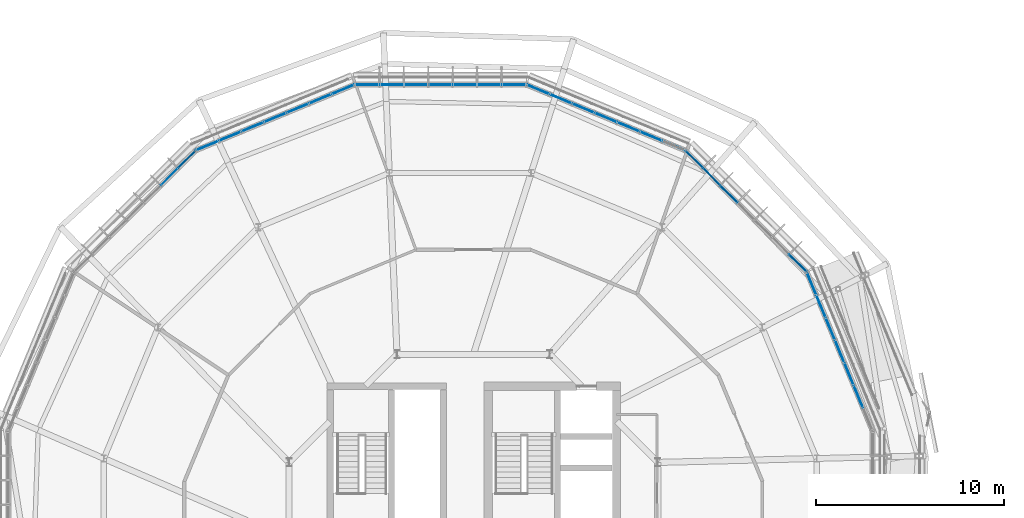
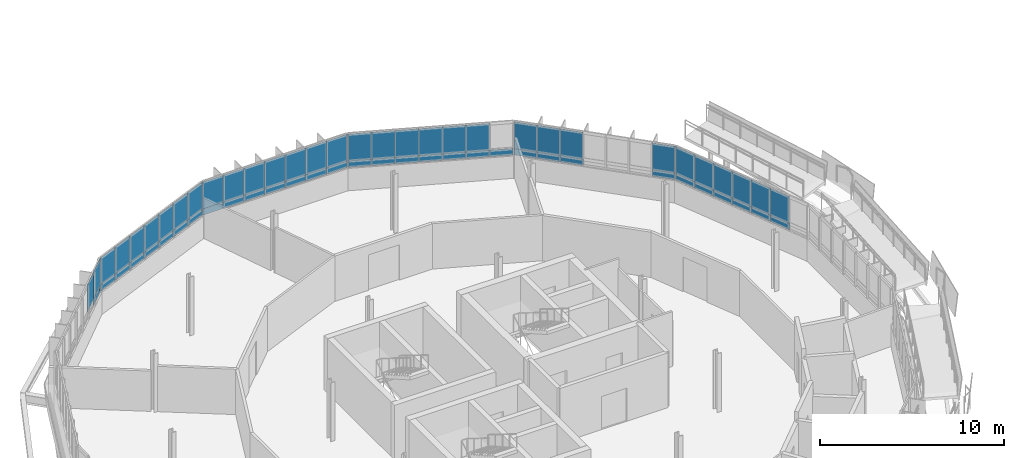
# One storey, part 27 of 38: 64 plates, 6 elements without a shape of their own.
"""IFC4 building model written with IfcOpenShell, lengths in metres."""

import ifcopenshell
import ifcopenshell.guid

model = None  # the IFC model being written
_history = None  # IfcOwnerHistory: only IFC2X3 demands one
_inside = {}  # id of a spatial element -> (the spatial element, [elements in it])
_under = {}  # id of a project, library or spatial element -> (it, [spatial elements below it])
_declared = {}  # id of a project -> (the project, [libraries it declares])
_typed = {}  # id of a type object -> (the type object, [elements of that type])
_made_of = {}  # id of a material, layer set ... -> (it, [elements and type objects made of it])


def new_model(schema):
    """Start an empty IFC model of exactly this schema.

    Asked for "IFC4X3", IfcOpenShell would pick the latest addendum, in which some entities
    have other attributes; the version numbers below select the first issue.
    IFC2X3 requires an IfcOwnerHistory on every rooted entity: one is made here for all.
    """
    global model, _history
    if schema == "IFC4X3":
        model = ifcopenshell.file(schema_version=(4, 3, 0, 0))
    else:
        model = ifcopenshell.file(schema=schema)
    _inside.clear()
    _under.clear()
    _declared.clear()
    _typed.clear()
    _made_of.clear()
    _history = None
    if model.schema == "IFC2X3":
        org = make("IfcOrganization", Name="unknown")
        user = make(
            "IfcPersonAndOrganization",
            ThePerson=make("IfcPerson", FamilyName="unknown"),
            TheOrganization=org,
        )
        app = make(
            "IfcApplication",
            ApplicationDeveloper=org,
            Version="unknown",
            ApplicationFullName="unknown",
            ApplicationIdentifier="unknown",
        )
        _history = make(
            "IfcOwnerHistory",
            OwningUser=user,
            OwningApplication=app,
            ChangeAction="ADDED",
            CreationDate=0,
        )
    return model


def make(cls, **values):
    """One entity of the class cls with the attributes given. An attribute that is None is left unset."""
    return model.create_entity(
        cls, **{name: value for name, value in values.items() if value is not None}
    )


def rooted(cls, **values):
    """An entity with a GlobalId (a new one), such as an element, a storey or a relation."""
    return make(cls, GlobalId=ifcopenshell.guid.new(), OwnerHistory=_history, **values)


def si_unit(unit_type, name, prefix=None):
    """IfcSIUnit, for example si_unit("LENGTHUNIT", "METRE", prefix="MILLI")."""
    return make("IfcSIUnit", UnitType=unit_type, Prefix=prefix, Name=name)


def derived_unit(unit_type, elements):
    """IfcDerivedUnit: a product of units, each with its exponent."""
    return make(
        "IfcDerivedUnit",
        Elements=[
            make("IfcDerivedUnitElement", Unit=unit, Exponent=power)
            for unit, power in elements
        ],
        UnitType=unit_type,
    )


def assignment(units):
    """IfcUnitAssignment: the units of a project."""
    return None if units is None else make("IfcUnitAssignment", Units=units)


def point(xyz):
    """IfcCartesianPoint."""
    return None if xyz is None else make("IfcCartesianPoint", Coordinates=xyz)


def direction(xyz):
    """IfcDirection."""
    return None if xyz is None else make("IfcDirection", DirectionRatios=xyz)


def frame(location, z_axis=None, x_axis=None):
    """IfcAxis2Placement3D, a coordinate frame: its origin and axes. An axis left out is left unset."""
    return make(
        "IfcAxis2Placement3D",
        Location=point(location),
        Axis=direction(z_axis),
        RefDirection=direction(x_axis),
    )


def frame_2d(location, x_axis=None):
    """IfcAxis2Placement2D, a coordinate frame in the plane: its origin and x axis."""
    return make(
        "IfcAxis2Placement2D", Location=point(location), RefDirection=direction(x_axis)
    )


def origin():
    """The frame at (0, 0, 0) with its axes left unset."""
    return frame((0.0, 0.0, 0.0))


def origin_2d():
    """The frame at (0, 0) in the plane with its x axis left unset."""
    return frame_2d((0.0, 0.0))


def place(relative_to, where):
    """IfcLocalPlacement: puts the frame where relative to a parent placement (None: the world)."""
    return make(
        "IfcLocalPlacement", PlacementRelTo=relative_to, RelativePlacement=where
    )


def context(
    kind, dimensions, precision=None, world=None, true_north=None, identifier=None
):
    """IfcGeometricRepresentationContext, for example the 3D "Model" context."""
    return make(
        "IfcGeometricRepresentationContext",
        ContextIdentifier=identifier,
        ContextType=kind,
        CoordinateSpaceDimension=dimensions,
        Precision=precision,
        WorldCoordinateSystem=world,
        TrueNorth=true_north,
    )


def subcontext(parent, identifier, kind, view, scale=None):
    """IfcGeometricRepresentationSubContext, for example "Body" below "Model"."""
    return make(
        "IfcGeometricRepresentationSubContext",
        ContextIdentifier=identifier,
        ContextType=kind,
        ParentContext=parent,
        TargetScale=scale,
        TargetView=view,
    )


def project(units=None, contexts=None):
    """IfcProject with its units and contexts."""
    return rooted(
        "IfcProject",
        Name="project",
        RepresentationContexts=contexts,
        UnitsInContext=assignment(units),
    )


def spatial(cls, under=None, at=None, **own):
    """A site, building, storey or space (cls), placed at a placement, below another one or the project."""
    s = rooted(cls, ObjectPlacement=at, **own)
    if under is not None:
        _under.setdefault(under.id(), (under, []))[1].append(s)
    return s


def profile(cls, at=None, kind="AREA", **sizes):
    """A parametric profile (cls). Its sizes go by their IFC names, for example OverallWidth=200.0."""
    return make(cls, ProfileType=kind, Position=at, **sizes)


def rectangle(**sizes):
    """IfcRectangleProfileDef."""
    return profile("IfcRectangleProfileDef", **sizes)


def extrude(swept, where, along, depth):
    """IfcExtrudedAreaSolid: the profile swept, set in the frame where, extruded along a direction by depth."""
    return make(
        "IfcExtrudedAreaSolid",
        SweptArea=swept,
        Position=where,
        ExtrudedDirection=direction(along),
        Depth=depth,
    )


def shape(context_of_items, identifier, shape_type, items):
    """IfcShapeRepresentation: the items that make up one representation, for example the "Body"."""
    return make(
        "IfcShapeRepresentation",
        ContextOfItems=context_of_items,
        RepresentationIdentifier=identifier,
        RepresentationType=shape_type,
        Items=items,
    )


def material(Name=None, Category=None):
    """IfcMaterial."""
    return make("IfcMaterial", Name=Name, Category=Category)


def layer(
    of_material, thickness, ventilated=None, Name=None, Category=None, Priority=None
):
    """IfcMaterialLayer: one layer of a wall or slab, of a material (None: an air gap)."""
    return make(
        "IfcMaterialLayer",
        Material=of_material,
        LayerThickness=thickness,
        IsVentilated=ventilated,
        Name=Name,
        Category=Category,
        Priority=Priority,
    )


def layer_set(layers, Name=None):
    """IfcMaterialLayerSet."""
    return make("IfcMaterialLayerSet", MaterialLayers=layers, LayerSetName=Name)


def made_of(thing, what):
    """Note that an element or type object is made of a material, layer set ...; save() writes the relation."""
    if what is not None:
        _made_of.setdefault(what.id(), (what, []))[1].append(thing)
    return thing


def type_object(cls, material=None, **own):
    """A type object (cls), such as IfcWallType, which elements share."""
    return made_of(rooted(cls, **own), material)


def element(
    cls,
    number,
    at=None,
    inside=None,
    cuts=None,
    type_object=None,
    material=None,
    context=None,
    identifier="Body",
    shape_type=None,
    held_by="IfcProductDefinitionShape",
    body=None,
    shapes=None,
    **own,
):
    """One element of the class cls, such as IfcWall. Its Tag is "e" and its number.

    at: its placement. inside: the storey or other place that contains it. cuts: it is an
    opening in that element (IfcRelVoidsElement). A single representation is given by context,
    identifier, shape_type and body (its items); several are given by shapes. held_by: the class
    of the entity that holds the representations. save() writes the other relations.
    """
    e = rooted(cls, Tag="e%d" % number, ObjectPlacement=at, **own)
    if body is not None:
        shapes = [shape(context, identifier, shape_type, body)]
    if shapes is not None:
        e.Representation = make(held_by, Representations=shapes)
    if inside is not None:
        _inside.setdefault(inside.id(), (inside, []))[1].append(e)
    if cuts is not None:
        rooted(
            "IfcRelVoidsElement", RelatingBuildingElement=cuts, RelatedOpeningElement=e
        )
    if type_object is not None:
        _typed.setdefault(type_object.id(), (type_object, []))[1].append(e)
    return made_of(e, material)


def aggregate(whole, parts):
    """IfcRelAggregates: a whole, such as a stair, and the parts it consists of."""
    return rooted("IfcRelAggregates", RelatingObject=whole, RelatedObjects=parts)


def save(model, path):
    """Write the relations noted so far, then the file.

    IfcRelAggregates (storeys below a building ...), IfcRelContainedInSpatialStructure (elements
    in a storey), IfcRelDefinesByType, IfcRelAssociatesMaterial and IfcRelDeclares: one each for
    every whole, place, type object, material and project.
    """
    for whole, parts in _under.values():
        aggregate(whole, parts)
    for where, things in _inside.values():
        rooted(
            "IfcRelContainedInSpatialStructure",
            RelatedElements=things,
            RelatingStructure=where,
        )
    for kind, things in _typed.values():
        rooted("IfcRelDefinesByType", RelatedObjects=things, RelatingType=kind)
    for what, things in _made_of.values():
        rooted("IfcRelAssociatesMaterial", RelatedObjects=things, RelatingMaterial=what)
    for by, libraries in _declared.values():
        rooted("IfcRelDeclares", RelatingContext=by, RelatedDefinitions=libraries)
    model.write(path)


model = new_model("IFC4")

# Units and contexts
model_context = context("Model", 3, precision=1e-05, world=origin(), true_north=direction((0.0, 1.0)))
body_context = subcontext(model_context, "Body", "Model", "MODEL_VIEW")
ifc_project = project(units=[si_unit("LENGTHUNIT", "METRE"), si_unit("AREAUNIT", "SQUARE_METRE"), si_unit("VOLUMEUNIT", "CUBIC_METRE"), si_unit("PLANEANGLEUNIT", "RADIAN"), si_unit("MASSUNIT", "GRAM", prefix="KILO"), derived_unit("THERMALTRANSMITTANCEUNIT", [(si_unit("MASSUNIT", "GRAM", prefix="KILO"), 1), (si_unit("TIMEUNIT", "SECOND"), -3), (si_unit("THERMODYNAMICTEMPERATUREUNIT", "KELVIN"), -1)])], contexts=[model_context])

# Site, building, storey
site_placement = place(None, origin())
site = spatial("IfcSite", under=ifc_project, at=site_placement, CompositionType="ELEMENT")
building_placement = place(site_placement, origin())
building = spatial("IfcBuilding", under=site, at=building_placement, Name="Makaiwela Harbour Ferry Terminal", CompositionType="ELEMENT")
storey_placement = place(building_placement, frame((0.0, 0.0, 17.699951171875)))
storey = spatial("IfcBuildingStorey", under=building, at=storey_placement, Name="L04", CompositionType="ELEMENT", Elevation=17.699951171875)

# Curtain wall, plates
ifc_material_1 = material(Name="Marine anodised aluminium 6063-T6", Category="aluminium")
ifc_layer_1 = layer(ifc_material_1, 0.199951171875)
ifc_layer_set_1 = layer_set([ifc_layer_1], Name="Marine anodised aluminium 6063-T6")
curtain_wall_type = type_object("IfcCurtainWallType", Name="ENV-CW-06", PredefinedType="USERDEFINED", material=ifc_layer_set_1)
curtain_wall_1_placement = place(storey_placement, origin())
curtain_wall_1 = element("IfcCurtainWall", 1, at=curtain_wall_1_placement, inside=storey, type_object=curtain_wall_type, Name="Unitised Curtain Wall CWA-043", ObjectType="UNITIZED CURTAIN WALL", PredefinedType="USERDEFINED")
ifc_material_2 = material(Name="Laminated hurricane-impact low-E insulated glazing", Category="glass")
ifc_layer_2 = layer(ifc_material_2, 0.031982421875)
ifc_layer_set_2 = layer_set([ifc_layer_2], Name="Laminated hurricane-impact low-E insulated glazing")
plate_type_1 = type_object("IfcPlateType", Name="CW-PNL-G09", PredefinedType="CURTAIN_PANEL", material=ifc_layer_set_2)
plate_1_placement = place(storey_placement, frame((58.2451171875, 75.158447265625, 1.89990234375), z_axis=(0.0, 0.0, 1.0), x_axis=(-0.382683432365, 0.923879532511, 0.0)))
plate_1 = element("IfcPlate", 2, at=plate_1_placement, type_object=plate_type_1, Name="Glazed Vision Panel CWA-043-2G", PredefinedType="CURTAIN_PANEL", context=body_context, shape_type="SweptSolid", body=[
    extrude(rectangle(XDim=1.295654296875, YDim=0.031982421875, at=origin_2d()), origin(), (0.0, 0.0, 1.0), 1.780029296875),
])
plate_2_placement = place(storey_placement, frame((57.749267578125, 76.355712890625, 1.89990234375), z_axis=(0.0, 0.0, 1.0), x_axis=(-0.382683432365, 0.923879532511, 0.0)))
plate_2 = element("IfcPlate", 3, at=plate_2_placement, type_object=plate_type_1, Name="Glazed Vision Panel CWA-043-3G", PredefinedType="CURTAIN_PANEL", context=body_context, shape_type="SweptSolid", body=[
    extrude(rectangle(XDim=1.295654296875, YDim=0.031982421875, at=origin_2d()), origin(), (0.0, 0.0, 1.0), 1.780029296875),
])
plate_3_placement = place(storey_placement, frame((57.25341796875, 77.552734375, 1.89990234375), z_axis=(0.0, 0.0, 1.0), x_axis=(-0.382683432365, 0.923879532511, 0.0)))
plate_3 = element("IfcPlate", 4, at=plate_3_placement, type_object=plate_type_1, Name="Glazed Vision Panel CWA-043-4G", PredefinedType="CURTAIN_PANEL", context=body_context, shape_type="SweptSolid", body=[
    extrude(rectangle(XDim=1.295654296875, YDim=0.031982421875, at=origin_2d()), origin(), (0.0, 0.0, 1.0), 1.780029296875),
])
plate_4_placement = place(storey_placement, frame((56.757568359375, 78.749755859375, 1.89990234375), z_axis=(0.0, 0.0, 1.0), x_axis=(-0.382683432365, 0.923879532511, 0.0)))
plate_4 = element("IfcPlate", 5, at=plate_4_placement, type_object=plate_type_1, Name="Glazed Vision Panel CWA-043-5G", PredefinedType="CURTAIN_PANEL", context=body_context, shape_type="SweptSolid", body=[
    extrude(rectangle(XDim=1.295654296875, YDim=0.031982421875, at=origin_2d()), origin(), (0.0, 0.0, 1.0), 1.780029296875),
])
plate_5_placement = place(storey_placement, frame((56.26171875, 79.947021484375, 1.89990234375), z_axis=(0.0, 0.0, 1.0), x_axis=(-0.382683432365, 0.923879532511, 0.0)))
plate_5 = element("IfcPlate", 6, at=plate_5_placement, type_object=plate_type_1, Name="Glazed Vision Panel CWA-043-6G", PredefinedType="CURTAIN_PANEL", context=body_context, shape_type="SweptSolid", body=[
    extrude(rectangle(XDim=1.295654296875, YDim=0.031982421875, at=origin_2d()), origin(), (0.0, 0.0, 1.0), 1.780029296875),
])
plate_6_placement = place(storey_placement, frame((55.765869140625, 81.14404296875, 1.89990234375), z_axis=(0.0, 0.0, 1.0), x_axis=(-0.382683432365, 0.923879532511, 0.0)))
plate_6 = element("IfcPlate", 7, at=plate_6_placement, type_object=plate_type_1, Name="Glazed Vision Panel CWA-043-7G", PredefinedType="CURTAIN_PANEL", context=body_context, shape_type="SweptSolid", body=[
    extrude(rectangle(XDim=1.295654296875, YDim=0.031982421875, at=origin_2d()), origin(), (0.0, 0.0, 1.0), 1.780029296875),
])

curtain_wall_2_placement = place(storey_placement, origin())
curtain_wall_2 = element("IfcCurtainWall", 8, at=curtain_wall_2_placement, inside=storey, type_object=curtain_wall_type, Name="Unitised Curtain Wall CWA-044", ObjectType="UNITIZED CURTAIN WALL", PredefinedType="USERDEFINED")
plate_7_placement = place(storey_placement, frame((55.027099609375, 82.24951171875, 1.89990234375), z_axis=(0.0, 0.0, 1.0), x_axis=(-0.707106781187, 0.707106781187, 0.0)))
plate_7 = element("IfcPlate", 9, at=plate_7_placement, type_object=plate_type_1, Name="Glazed Vision Panel CWA-044-1G", PredefinedType="CURTAIN_PANEL", context=body_context, shape_type="SweptSolid", body=[
    extrude(rectangle(XDim=1.2958984375, YDim=0.031982421875, at=origin_2d()), origin(), (0.0, 0.0, 1.0), 1.780029296875),
])
plate_8_placement = place(storey_placement, frame((51.362060546875, 85.91455078125, 1.89990234375), z_axis=(0.0, 0.0, 1.0), x_axis=(-0.707106781187, 0.707106781187, 0.0)))
plate_8 = element("IfcPlate", 10, at=plate_8_placement, type_object=plate_type_1, Name="Glazed Vision Panel CWA-044-5G", PredefinedType="CURTAIN_PANEL", context=body_context, shape_type="SweptSolid", body=[
    extrude(rectangle(XDim=1.2958984375, YDim=0.031982421875, at=origin_2d()), origin(), (0.0, 0.0, 1.0), 1.780029296875),
])
plate_9_placement = place(storey_placement, frame((50.44580078125, 86.830810546875, 1.89990234375), z_axis=(0.0, 0.0, 1.0), x_axis=(-0.707106781187, 0.707106781187, 0.0)))
plate_9 = element("IfcPlate", 11, at=plate_9_placement, type_object=plate_type_1, Name="Glazed Vision Panel CWA-044-6G", PredefinedType="CURTAIN_PANEL", context=body_context, shape_type="SweptSolid", body=[
    extrude(rectangle(XDim=1.2958984375, YDim=0.031982421875, at=origin_2d()), origin(), (0.0, 0.0, 1.0), 1.780029296875),
])
plate_10_placement = place(storey_placement, frame((49.529541015625, 87.7470703125, 1.89990234375), z_axis=(0.0, 0.0, 1.0), x_axis=(-0.707106781187, 0.707106781187, 0.0)))
plate_10 = element("IfcPlate", 12, at=plate_10_placement, type_object=plate_type_1, Name="Glazed Vision Panel CWA-044-7G", PredefinedType="CURTAIN_PANEL", context=body_context, shape_type="SweptSolid", body=[
    extrude(rectangle(XDim=1.2958984375, YDim=0.031982421875, at=origin_2d()), origin(), (0.0, 0.0, 1.0), 1.780029296875),
])

curtain_wall_3_placement = place(storey_placement, origin())
curtain_wall_3 = element("IfcCurtainWall", 13, at=curtain_wall_3_placement, inside=storey, type_object=curtain_wall_type, Name="Unitised Curtain Wall CWA-045", ObjectType="UNITIZED CURTAIN WALL", PredefinedType="USERDEFINED")
plate_11_placement = place(storey_placement, frame((47.226806640625, 88.981689453125, 1.89990234375), z_axis=(0.0, 0.0, 1.0), x_axis=(-0.923879532511, 0.382683432365, 0.0)))
plate_11 = element("IfcPlate", 14, at=plate_11_placement, type_object=plate_type_1, Name="Glazed Vision Panel CWA-045-2G", PredefinedType="CURTAIN_PANEL", context=body_context, shape_type="SweptSolid", body=[
    extrude(rectangle(XDim=1.295654296875, YDim=0.031982421875, at=origin_2d()), origin(), (0.0, 0.0, 1.0), 1.780029296875),
])
plate_12_placement = place(storey_placement, frame((46.02978515625, 89.4775390625, 1.89990234375), z_axis=(0.0, 0.0, 1.0), x_axis=(-0.923879532511, 0.382683432365, 0.0)))
plate_12 = element("IfcPlate", 15, at=plate_12_placement, type_object=plate_type_1, Name="Glazed Vision Panel CWA-045-3G", PredefinedType="CURTAIN_PANEL", context=body_context, shape_type="SweptSolid", body=[
    extrude(rectangle(XDim=1.295654296875, YDim=0.031982421875, at=origin_2d()), origin(), (0.0, 0.0, 1.0), 1.780029296875),
])
plate_13_placement = place(storey_placement, frame((44.832763671875, 89.973388671875, 1.89990234375), z_axis=(0.0, 0.0, 1.0), x_axis=(-0.923879532511, 0.382683432365, 0.0)))
plate_13 = element("IfcPlate", 16, at=plate_13_placement, type_object=plate_type_1, Name="Glazed Vision Panel CWA-045-4G", PredefinedType="CURTAIN_PANEL", context=body_context, shape_type="SweptSolid", body=[
    extrude(rectangle(XDim=1.295654296875, YDim=0.031982421875, at=origin_2d()), origin(), (0.0, 0.0, 1.0), 1.780029296875),
])
plate_14_placement = place(storey_placement, frame((43.635498046875, 90.46923828125, 1.89990234375), z_axis=(0.0, 0.0, 1.0), x_axis=(-0.923879532511, 0.382683432365, 0.0)))
plate_14 = element("IfcPlate", 17, at=plate_14_placement, type_object=plate_type_1, Name="Glazed Vision Panel CWA-045-5G", PredefinedType="CURTAIN_PANEL", context=body_context, shape_type="SweptSolid", body=[
    extrude(rectangle(XDim=1.295654296875, YDim=0.031982421875, at=origin_2d()), origin(), (0.0, 0.0, 1.0), 1.780029296875),
])
plate_15_placement = place(storey_placement, frame((42.4384765625, 90.965087890625, 1.89990234375), z_axis=(0.0, 0.0, 1.0), x_axis=(-0.923879532511, 0.382683432365, 0.0)))
plate_15 = element("IfcPlate", 18, at=plate_15_placement, type_object=plate_type_1, Name="Glazed Vision Panel CWA-045-6G", PredefinedType="CURTAIN_PANEL", context=body_context, shape_type="SweptSolid", body=[
    extrude(rectangle(XDim=1.295654296875, YDim=0.031982421875, at=origin_2d()), origin(), (0.0, 0.0, 1.0), 1.780029296875),
])
plate_16_placement = place(storey_placement, frame((41.241455078125, 91.4609375, 1.89990234375), z_axis=(0.0, 0.0, 1.0), x_axis=(-0.923879532511, 0.382683432365, 0.0)))
plate_16 = element("IfcPlate", 19, at=plate_16_placement, type_object=plate_type_1, Name="Glazed Vision Panel CWA-045-7G", PredefinedType="CURTAIN_PANEL", context=body_context, shape_type="SweptSolid", body=[
    extrude(rectangle(XDim=1.295654296875, YDim=0.031982421875, at=origin_2d()), origin(), (0.0, 0.0, 1.0), 1.780029296875),
])

curtain_wall_4_placement = place(storey_placement, origin())
curtain_wall_4 = element("IfcCurtainWall", 20, at=curtain_wall_4_placement, inside=storey, type_object=curtain_wall_type, Name="Unitised Curtain Wall CWA-046", ObjectType="UNITIZED CURTAIN WALL", PredefinedType="USERDEFINED")
plate_17_placement = place(storey_placement, frame((39.937255859375, 91.720458984375, 1.89990234375), z_axis=(0.0, 0.0, 1.0), x_axis=(-1.0, 0.0, 0.0)))
plate_17 = element("IfcPlate", 21, at=plate_17_placement, type_object=plate_type_1, Name="Glazed Vision Panel CWA-046-1G", PredefinedType="CURTAIN_PANEL", context=body_context, shape_type="SweptSolid", body=[
    extrude(rectangle(XDim=1.295654296875, YDim=0.031982421875, at=origin_2d()), origin(), (0.0, 0.0, 1.0), 1.780029296875),
])
plate_18_placement = place(storey_placement, frame((38.6416015625, 91.720458984375, 1.89990234375), z_axis=(0.0, 0.0, 1.0), x_axis=(-1.0, 0.0, 0.0)))
plate_18 = element("IfcPlate", 22, at=plate_18_placement, type_object=plate_type_1, Name="Glazed Vision Panel CWA-046-2G", PredefinedType="CURTAIN_PANEL", context=body_context, shape_type="SweptSolid", body=[
    extrude(rectangle(XDim=1.295654296875, YDim=0.031982421875, at=origin_2d()), origin(), (0.0, 0.0, 1.0), 1.780029296875),
])
plate_19_placement = place(storey_placement, frame((37.345703125, 91.720458984375, 1.89990234375), z_axis=(0.0, 0.0, 1.0), x_axis=(-1.0, 0.0, 0.0)))
plate_19 = element("IfcPlate", 23, at=plate_19_placement, type_object=plate_type_1, Name="Glazed Vision Panel CWA-046-3G", PredefinedType="CURTAIN_PANEL", context=body_context, shape_type="SweptSolid", body=[
    extrude(rectangle(XDim=1.295654296875, YDim=0.031982421875, at=origin_2d()), origin(), (0.0, 0.0, 1.0), 1.780029296875),
])
plate_20_placement = place(storey_placement, frame((36.050048828125, 91.720458984375, 1.89990234375), z_axis=(0.0, 0.0, 1.0), x_axis=(-1.0, 0.0, 0.0)))
plate_20 = element("IfcPlate", 24, at=plate_20_placement, type_object=plate_type_1, Name="Glazed Vision Panel CWA-046-4G", PredefinedType="CURTAIN_PANEL", context=body_context, shape_type="SweptSolid", body=[
    extrude(rectangle(XDim=1.295654296875, YDim=0.031982421875, at=origin_2d()), origin(), (0.0, 0.0, 1.0), 1.780029296875),
])
plate_21_placement = place(storey_placement, frame((34.75439453125, 91.720458984375, 1.89990234375), z_axis=(0.0, 0.0, 1.0), x_axis=(-1.0, 0.0, 0.0)))
plate_21 = element("IfcPlate", 25, at=plate_21_placement, type_object=plate_type_1, Name="Glazed Vision Panel CWA-046-5G", PredefinedType="CURTAIN_PANEL", context=body_context, shape_type="SweptSolid", body=[
    extrude(rectangle(XDim=1.295654296875, YDim=0.031982421875, at=origin_2d()), origin(), (0.0, 0.0, 1.0), 1.780029296875),
])
plate_22_placement = place(storey_placement, frame((33.45849609375, 91.720458984375, 1.89990234375), z_axis=(0.0, 0.0, 1.0), x_axis=(-1.0, 0.0, 0.0)))
plate_22 = element("IfcPlate", 26, at=plate_22_placement, type_object=plate_type_1, Name="Glazed Vision Panel CWA-046-6G", PredefinedType="CURTAIN_PANEL", context=body_context, shape_type="SweptSolid", body=[
    extrude(rectangle(XDim=1.295654296875, YDim=0.031982421875, at=origin_2d()), origin(), (0.0, 0.0, 1.0), 1.780029296875),
])
plate_23_placement = place(storey_placement, frame((32.162841796875, 91.720458984375, 1.89990234375), z_axis=(0.0, 0.0, 1.0), x_axis=(-1.0, 0.0, 0.0)))
plate_23 = element("IfcPlate", 27, at=plate_23_placement, type_object=plate_type_1, Name="Glazed Vision Panel CWA-046-7G", PredefinedType="CURTAIN_PANEL", context=body_context, shape_type="SweptSolid", body=[
    extrude(rectangle(XDim=1.295654296875, YDim=0.031982421875, at=origin_2d()), origin(), (0.0, 0.0, 1.0), 1.780029296875),
])

curtain_wall_5_placement = place(storey_placement, origin())
curtain_wall_5 = element("IfcCurtainWall", 28, at=curtain_wall_5_placement, inside=storey, type_object=curtain_wall_type, Name="Unitised Curtain Wall CWA-047", ObjectType="UNITIZED CURTAIN WALL", PredefinedType="USERDEFINED")
plate_24_placement = place(storey_placement, frame((30.858642578125, 91.4609375, 1.89990234375), z_axis=(0.0, 0.0, 1.0), x_axis=(-0.923879532511, -0.382683432365, 0.0)))
plate_24 = element("IfcPlate", 29, at=plate_24_placement, type_object=plate_type_1, Name="Glazed Vision Panel CWA-047-1G", PredefinedType="CURTAIN_PANEL", context=body_context, shape_type="SweptSolid", body=[
    extrude(rectangle(XDim=1.295654296875, YDim=0.031982421875, at=origin_2d()), origin(), (0.0, 0.0, 1.0), 1.780029296875),
])
plate_25_placement = place(storey_placement, frame((29.66162109375, 90.965087890625, 1.89990234375), z_axis=(0.0, 0.0, 1.0), x_axis=(-0.923879532511, -0.382683432365, 0.0)))
plate_25 = element("IfcPlate", 30, at=plate_25_placement, type_object=plate_type_1, Name="Glazed Vision Panel CWA-047-2G", PredefinedType="CURTAIN_PANEL", context=body_context, shape_type="SweptSolid", body=[
    extrude(rectangle(XDim=1.295654296875, YDim=0.031982421875, at=origin_2d()), origin(), (0.0, 0.0, 1.0), 1.780029296875),
])
plate_26_placement = place(storey_placement, frame((28.46435546875, 90.46923828125, 1.89990234375), z_axis=(0.0, 0.0, 1.0), x_axis=(-0.923879532511, -0.382683432365, 0.0)))
plate_26 = element("IfcPlate", 31, at=plate_26_placement, type_object=plate_type_1, Name="Glazed Vision Panel CWA-047-3G", PredefinedType="CURTAIN_PANEL", context=body_context, shape_type="SweptSolid", body=[
    extrude(rectangle(XDim=1.295654296875, YDim=0.031982421875, at=origin_2d()), origin(), (0.0, 0.0, 1.0), 1.780029296875),
])
plate_27_placement = place(storey_placement, frame((27.267333984375, 89.973388671875, 1.89990234375), z_axis=(0.0, 0.0, 1.0), x_axis=(-0.923879532511, -0.382683432365, 0.0)))
plate_27 = element("IfcPlate", 32, at=plate_27_placement, type_object=plate_type_1, Name="Glazed Vision Panel CWA-047-4G", PredefinedType="CURTAIN_PANEL", context=body_context, shape_type="SweptSolid", body=[
    extrude(rectangle(XDim=1.295654296875, YDim=0.031982421875, at=origin_2d()), origin(), (0.0, 0.0, 1.0), 1.780029296875),
])
plate_28_placement = place(storey_placement, frame((26.0703125, 89.4775390625, 1.89990234375), z_axis=(0.0, 0.0, 1.0), x_axis=(-0.923879532511, -0.382683432365, 0.0)))
plate_28 = element("IfcPlate", 33, at=plate_28_placement, type_object=plate_type_1, Name="Glazed Vision Panel CWA-047-5G", PredefinedType="CURTAIN_PANEL", context=body_context, shape_type="SweptSolid", body=[
    extrude(rectangle(XDim=1.295654296875, YDim=0.031982421875, at=origin_2d()), origin(), (0.0, 0.0, 1.0), 1.780029296875),
])
plate_29_placement = place(storey_placement, frame((24.873046875, 88.981689453125, 1.89990234375), z_axis=(0.0, 0.0, 1.0), x_axis=(-0.923879532511, -0.382683432365, 0.0)))
plate_29 = element("IfcPlate", 34, at=plate_29_placement, type_object=plate_type_1, Name="Glazed Vision Panel CWA-047-6G", PredefinedType="CURTAIN_PANEL", context=body_context, shape_type="SweptSolid", body=[
    extrude(rectangle(XDim=1.295654296875, YDim=0.031982421875, at=origin_2d()), origin(), (0.0, 0.0, 1.0), 1.780029296875),
])
plate_30_placement = place(storey_placement, frame((23.676025390625, 88.48583984375, 1.89990234375), z_axis=(0.0, 0.0, 1.0), x_axis=(-0.923879532511, -0.382683432365, 0.0)))
plate_30 = element("IfcPlate", 35, at=plate_30_placement, type_object=plate_type_1, Name="Glazed Vision Panel CWA-047-7G", PredefinedType="CURTAIN_PANEL", context=body_context, shape_type="SweptSolid", body=[
    extrude(rectangle(XDim=1.295654296875, YDim=0.031982421875, at=origin_2d()), origin(), (0.0, 0.0, 1.0), 1.780029296875),
])

curtain_wall_6_placement = place(storey_placement, origin())
curtain_wall_6 = element("IfcCurtainWall", 36, at=curtain_wall_6_placement, inside=storey, type_object=curtain_wall_type, Name="Unitised Curtain Wall CWA-048", ObjectType="UNITIZED CURTAIN WALL", PredefinedType="USERDEFINED")
plate_31_placement = place(storey_placement, frame((22.5703125, 87.7470703125, 1.89990234375), z_axis=(0.0, 0.0, 1.0), x_axis=(-0.707106781187, -0.707106781187, 0.0)))
plate_31 = element("IfcPlate", 37, at=plate_31_placement, type_object=plate_type_1, Name="Glazed Vision Panel CWA-048-1G", PredefinedType="CURTAIN_PANEL", context=body_context, shape_type="SweptSolid", body=[
    extrude(rectangle(XDim=1.2958984375, YDim=0.031982421875, at=origin_2d()), origin(), (0.0, 0.0, 1.0), 1.780029296875),
])
plate_32_placement = place(storey_placement, frame((21.654052734375, 86.830810546875, 1.89990234375), z_axis=(0.0, 0.0, 1.0), x_axis=(-0.707106781187, -0.707106781187, 0.0)))
plate_32 = element("IfcPlate", 38, at=plate_32_placement, type_object=plate_type_1, Name="Glazed Vision Panel CWA-048-2G", PredefinedType="CURTAIN_PANEL", context=body_context, shape_type="SweptSolid", body=[
    extrude(rectangle(XDim=1.2958984375, YDim=0.031982421875, at=origin_2d()), origin(), (0.0, 0.0, 1.0), 1.780029296875),
])

# Plate
ifc_material_3 = material(Name="Insulated marine aluminium spandrel panel", Category="aluminium")
ifc_layer_3 = layer(ifc_material_3, 0.048095703125)
ifc_layer_set_3 = layer_set([ifc_layer_3], Name="Insulated marine aluminium spandrel panel")
plate_type_2 = type_object("IfcPlateType", Name="CW-PNL-S01", PredefinedType="CURTAIN_PANEL", material=ifc_layer_set_3)
plate_33_placement = place(storey_placement, frame((58.2451171875, 75.158447265625, 1.47998046875), z_axis=(0.0, 0.0, 1.0), x_axis=(-0.382683432365, 0.923879532511, 0.0)))
plate_33 = element("IfcPlate", 39, at=plate_33_placement, type_object=plate_type_2, Name="Spandrel Panel CWA-043-2S", PredefinedType="CURTAIN_PANEL", context=body_context, shape_type="SweptSolid", body=[
    extrude(rectangle(XDim=1.295654296875, YDim=0.048095703125, at=origin_2d()), origin(), (0.0, 0.0, 1.0), 0.419921875),
])

plate_34_placement = place(storey_placement, frame((57.749267578125, 76.355712890625, 1.47998046875), z_axis=(0.0, 0.0, 1.0), x_axis=(-0.382683432365, 0.923879532511, 0.0)))
plate_34 = element("IfcPlate", 40, at=plate_34_placement, type_object=plate_type_2, Name="Spandrel Panel CWA-043-3S", PredefinedType="CURTAIN_PANEL", context=body_context, shape_type="SweptSolid", body=[
    extrude(rectangle(XDim=1.295654296875, YDim=0.048095703125, at=origin_2d()), origin(), (0.0, 0.0, 1.0), 0.419921875),
])

plate_35_placement = place(storey_placement, frame((57.25341796875, 77.552734375, 1.47998046875), z_axis=(0.0, 0.0, 1.0), x_axis=(-0.382683432365, 0.923879532511, 0.0)))
plate_35 = element("IfcPlate", 41, at=plate_35_placement, type_object=plate_type_2, Name="Spandrel Panel CWA-043-4S", PredefinedType="CURTAIN_PANEL", context=body_context, shape_type="SweptSolid", body=[
    extrude(rectangle(XDim=1.295654296875, YDim=0.048095703125, at=origin_2d()), origin(), (0.0, 0.0, 1.0), 0.419921875),
])

plate_36_placement = place(storey_placement, frame((56.757568359375, 78.749755859375, 1.47998046875), z_axis=(0.0, 0.0, 1.0), x_axis=(-0.382683432365, 0.923879532511, 0.0)))
plate_36 = element("IfcPlate", 42, at=plate_36_placement, type_object=plate_type_2, Name="Spandrel Panel CWA-043-5S", PredefinedType="CURTAIN_PANEL", context=body_context, shape_type="SweptSolid", body=[
    extrude(rectangle(XDim=1.295654296875, YDim=0.048095703125, at=origin_2d()), origin(), (0.0, 0.0, 1.0), 0.419921875),
])

plate_37_placement = place(storey_placement, frame((56.26171875, 79.947021484375, 1.47998046875), z_axis=(0.0, 0.0, 1.0), x_axis=(-0.382683432365, 0.923879532511, 0.0)))
plate_37 = element("IfcPlate", 43, at=plate_37_placement, type_object=plate_type_2, Name="Spandrel Panel CWA-043-6S", PredefinedType="CURTAIN_PANEL", context=body_context, shape_type="SweptSolid", body=[
    extrude(rectangle(XDim=1.295654296875, YDim=0.048095703125, at=origin_2d()), origin(), (0.0, 0.0, 1.0), 0.419921875),
])

plate_38_placement = place(storey_placement, frame((55.765869140625, 81.14404296875, 1.47998046875), z_axis=(0.0, 0.0, 1.0), x_axis=(-0.382683432365, 0.923879532511, 0.0)))
plate_38 = element("IfcPlate", 44, at=plate_38_placement, type_object=plate_type_2, Name="Spandrel Panel CWA-043-7S", PredefinedType="CURTAIN_PANEL", context=body_context, shape_type="SweptSolid", body=[
    extrude(rectangle(XDim=1.295654296875, YDim=0.048095703125, at=origin_2d()), origin(), (0.0, 0.0, 1.0), 0.419921875),
])

aggregate(curtain_wall_1, [plate_33, plate_1, plate_34, plate_2, plate_35, plate_3, plate_36, plate_4, plate_37, plate_5, plate_38, plate_6])

plate_39_placement = place(storey_placement, frame((55.027099609375, 82.24951171875, 1.47998046875), z_axis=(0.0, 0.0, 1.0), x_axis=(-0.707106781187, 0.707106781187, 0.0)))
plate_39 = element("IfcPlate", 45, at=plate_39_placement, type_object=plate_type_2, Name="Spandrel Panel CWA-044-1S", PredefinedType="CURTAIN_PANEL", context=body_context, shape_type="SweptSolid", body=[
    extrude(rectangle(XDim=1.2958984375, YDim=0.048095703125, at=origin_2d()), origin(), (0.0, 0.0, 1.0), 0.419921875),
])

plate_40_placement = place(storey_placement, frame((51.362060546875, 85.91455078125, 1.47998046875), z_axis=(0.0, 0.0, 1.0), x_axis=(-0.707106781187, 0.707106781187, 0.0)))
plate_40 = element("IfcPlate", 46, at=plate_40_placement, type_object=plate_type_2, Name="Spandrel Panel CWA-044-5S", PredefinedType="CURTAIN_PANEL", context=body_context, shape_type="SweptSolid", body=[
    extrude(rectangle(XDim=1.2958984375, YDim=0.048095703125, at=origin_2d()), origin(), (0.0, 0.0, 1.0), 0.419921875),
])

plate_41_placement = place(storey_placement, frame((50.44580078125, 86.830810546875, 1.47998046875), z_axis=(0.0, 0.0, 1.0), x_axis=(-0.707106781187, 0.707106781187, 0.0)))
plate_41 = element("IfcPlate", 47, at=plate_41_placement, type_object=plate_type_2, Name="Spandrel Panel CWA-044-6S", PredefinedType="CURTAIN_PANEL", context=body_context, shape_type="SweptSolid", body=[
    extrude(rectangle(XDim=1.2958984375, YDim=0.048095703125, at=origin_2d()), origin(), (0.0, 0.0, 1.0), 0.419921875),
])

plate_42_placement = place(storey_placement, frame((49.529541015625, 87.7470703125, 1.47998046875), z_axis=(0.0, 0.0, 1.0), x_axis=(-0.707106781187, 0.707106781187, 0.0)))
plate_42 = element("IfcPlate", 48, at=plate_42_placement, type_object=plate_type_2, Name="Spandrel Panel CWA-044-7S", PredefinedType="CURTAIN_PANEL", context=body_context, shape_type="SweptSolid", body=[
    extrude(rectangle(XDim=1.2958984375, YDim=0.048095703125, at=origin_2d()), origin(), (0.0, 0.0, 1.0), 0.419921875),
])

aggregate(curtain_wall_2, [plate_39, plate_7, plate_40, plate_8, plate_41, plate_9, plate_42, plate_10])

plate_43_placement = place(storey_placement, frame((48.424072265625, 88.48583984375, 1.47998046875), z_axis=(0.0, 0.0, 1.0), x_axis=(-0.923879532511, 0.382683432365, 0.0)))
plate_43 = element("IfcPlate", 49, at=plate_43_placement, type_object=plate_type_2, Name="Spandrel Panel CWA-045-1S", PredefinedType="CURTAIN_PANEL", context=body_context, shape_type="SweptSolid", body=[
    extrude(rectangle(XDim=1.295654296875, YDim=0.048095703125, at=origin_2d()), origin(), (0.0, 0.0, 1.0), 0.419921875),
])

plate_44_placement = place(storey_placement, frame((47.226806640625, 88.981689453125, 1.47998046875), z_axis=(0.0, 0.0, 1.0), x_axis=(-0.923879532511, 0.382683432365, 0.0)))
plate_44 = element("IfcPlate", 50, at=plate_44_placement, type_object=plate_type_2, Name="Spandrel Panel CWA-045-2S", PredefinedType="CURTAIN_PANEL", context=body_context, shape_type="SweptSolid", body=[
    extrude(rectangle(XDim=1.295654296875, YDim=0.048095703125, at=origin_2d()), origin(), (0.0, 0.0, 1.0), 0.419921875),
])

plate_45_placement = place(storey_placement, frame((46.02978515625, 89.4775390625, 1.47998046875), z_axis=(0.0, 0.0, 1.0), x_axis=(-0.923879532511, 0.382683432365, 0.0)))
plate_45 = element("IfcPlate", 51, at=plate_45_placement, type_object=plate_type_2, Name="Spandrel Panel CWA-045-3S", PredefinedType="CURTAIN_PANEL", context=body_context, shape_type="SweptSolid", body=[
    extrude(rectangle(XDim=1.295654296875, YDim=0.048095703125, at=origin_2d()), origin(), (0.0, 0.0, 1.0), 0.419921875),
])

plate_46_placement = place(storey_placement, frame((44.832763671875, 89.973388671875, 1.47998046875), z_axis=(0.0, 0.0, 1.0), x_axis=(-0.923879532511, 0.382683432365, 0.0)))
plate_46 = element("IfcPlate", 52, at=plate_46_placement, type_object=plate_type_2, Name="Spandrel Panel CWA-045-4S", PredefinedType="CURTAIN_PANEL", context=body_context, shape_type="SweptSolid", body=[
    extrude(rectangle(XDim=1.295654296875, YDim=0.048095703125, at=origin_2d()), origin(), (0.0, 0.0, 1.0), 0.419921875),
])

plate_47_placement = place(storey_placement, frame((43.635498046875, 90.46923828125, 1.47998046875), z_axis=(0.0, 0.0, 1.0), x_axis=(-0.923879532511, 0.382683432365, 0.0)))
plate_47 = element("IfcPlate", 53, at=plate_47_placement, type_object=plate_type_2, Name="Spandrel Panel CWA-045-5S", PredefinedType="CURTAIN_PANEL", context=body_context, shape_type="SweptSolid", body=[
    extrude(rectangle(XDim=1.295654296875, YDim=0.048095703125, at=origin_2d()), origin(), (0.0, 0.0, 1.0), 0.419921875),
])

plate_48_placement = place(storey_placement, frame((42.4384765625, 90.965087890625, 1.47998046875), z_axis=(0.0, 0.0, 1.0), x_axis=(-0.923879532511, 0.382683432365, 0.0)))
plate_48 = element("IfcPlate", 54, at=plate_48_placement, type_object=plate_type_2, Name="Spandrel Panel CWA-045-6S", PredefinedType="CURTAIN_PANEL", context=body_context, shape_type="SweptSolid", body=[
    extrude(rectangle(XDim=1.295654296875, YDim=0.048095703125, at=origin_2d()), origin(), (0.0, 0.0, 1.0), 0.419921875),
])

plate_49_placement = place(storey_placement, frame((41.241455078125, 91.4609375, 1.47998046875), z_axis=(0.0, 0.0, 1.0), x_axis=(-0.923879532511, 0.382683432365, 0.0)))
plate_49 = element("IfcPlate", 55, at=plate_49_placement, type_object=plate_type_2, Name="Spandrel Panel CWA-045-7S", PredefinedType="CURTAIN_PANEL", context=body_context, shape_type="SweptSolid", body=[
    extrude(rectangle(XDim=1.295654296875, YDim=0.048095703125, at=origin_2d()), origin(), (0.0, 0.0, 1.0), 0.419921875),
])

aggregate(curtain_wall_3, [plate_43, plate_44, plate_11, plate_45, plate_12, plate_46, plate_13, plate_47, plate_14, plate_48, plate_15, plate_49, plate_16])

plate_50_placement = place(storey_placement, frame((39.937255859375, 91.720458984375, 1.47998046875), z_axis=(0.0, 0.0, 1.0), x_axis=(-1.0, 0.0, 0.0)))
plate_50 = element("IfcPlate", 56, at=plate_50_placement, type_object=plate_type_2, Name="Spandrel Panel CWA-046-1S", PredefinedType="CURTAIN_PANEL", context=body_context, shape_type="SweptSolid", body=[
    extrude(rectangle(XDim=1.295654296875, YDim=0.048095703125, at=origin_2d()), origin(), (0.0, 0.0, 1.0), 0.419921875),
])

plate_51_placement = place(storey_placement, frame((38.6416015625, 91.720458984375, 1.47998046875), z_axis=(0.0, 0.0, 1.0), x_axis=(-1.0, 0.0, 0.0)))
plate_51 = element("IfcPlate", 57, at=plate_51_placement, type_object=plate_type_2, Name="Spandrel Panel CWA-046-2S", PredefinedType="CURTAIN_PANEL", context=body_context, shape_type="SweptSolid", body=[
    extrude(rectangle(XDim=1.295654296875, YDim=0.048095703125, at=origin_2d()), origin(), (0.0, 0.0, 1.0), 0.419921875),
])

plate_52_placement = place(storey_placement, frame((37.345703125, 91.720458984375, 1.47998046875), z_axis=(0.0, 0.0, 1.0), x_axis=(-1.0, 0.0, 0.0)))
plate_52 = element("IfcPlate", 58, at=plate_52_placement, type_object=plate_type_2, Name="Spandrel Panel CWA-046-3S", PredefinedType="CURTAIN_PANEL", context=body_context, shape_type="SweptSolid", body=[
    extrude(rectangle(XDim=1.295654296875, YDim=0.048095703125, at=origin_2d()), origin(), (0.0, 0.0, 1.0), 0.419921875),
])

plate_53_placement = place(storey_placement, frame((36.050048828125, 91.720458984375, 1.47998046875), z_axis=(0.0, 0.0, 1.0), x_axis=(-1.0, 0.0, 0.0)))
plate_53 = element("IfcPlate", 59, at=plate_53_placement, type_object=plate_type_2, Name="Spandrel Panel CWA-046-4S", PredefinedType="CURTAIN_PANEL", context=body_context, shape_type="SweptSolid", body=[
    extrude(rectangle(XDim=1.295654296875, YDim=0.048095703125, at=origin_2d()), origin(), (0.0, 0.0, 1.0), 0.419921875),
])

plate_54_placement = place(storey_placement, frame((34.75439453125, 91.720458984375, 1.47998046875), z_axis=(0.0, 0.0, 1.0), x_axis=(-1.0, 0.0, 0.0)))
plate_54 = element("IfcPlate", 60, at=plate_54_placement, type_object=plate_type_2, Name="Spandrel Panel CWA-046-5S", PredefinedType="CURTAIN_PANEL", context=body_context, shape_type="SweptSolid", body=[
    extrude(rectangle(XDim=1.295654296875, YDim=0.048095703125, at=origin_2d()), origin(), (0.0, 0.0, 1.0), 0.419921875),
])

plate_55_placement = place(storey_placement, frame((33.45849609375, 91.720458984375, 1.47998046875), z_axis=(0.0, 0.0, 1.0), x_axis=(-1.0, 0.0, 0.0)))
plate_55 = element("IfcPlate", 61, at=plate_55_placement, type_object=plate_type_2, Name="Spandrel Panel CWA-046-6S", PredefinedType="CURTAIN_PANEL", context=body_context, shape_type="SweptSolid", body=[
    extrude(rectangle(XDim=1.295654296875, YDim=0.048095703125, at=origin_2d()), origin(), (0.0, 0.0, 1.0), 0.419921875),
])

plate_56_placement = place(storey_placement, frame((32.162841796875, 91.720458984375, 1.47998046875), z_axis=(0.0, 0.0, 1.0), x_axis=(-1.0, 0.0, 0.0)))
plate_56 = element("IfcPlate", 62, at=plate_56_placement, type_object=plate_type_2, Name="Spandrel Panel CWA-046-7S", PredefinedType="CURTAIN_PANEL", context=body_context, shape_type="SweptSolid", body=[
    extrude(rectangle(XDim=1.295654296875, YDim=0.048095703125, at=origin_2d()), origin(), (0.0, 0.0, 1.0), 0.419921875),
])

aggregate(curtain_wall_4, [plate_50, plate_17, plate_51, plate_18, plate_52, plate_19, plate_53, plate_20, plate_54, plate_21, plate_55, plate_22, plate_56, plate_23])

plate_57_placement = place(storey_placement, frame((30.858642578125, 91.4609375, 1.47998046875), z_axis=(0.0, 0.0, 1.0), x_axis=(-0.923879532511, -0.382683432365, 0.0)))
plate_57 = element("IfcPlate", 63, at=plate_57_placement, type_object=plate_type_2, Name="Spandrel Panel CWA-047-1S", PredefinedType="CURTAIN_PANEL", context=body_context, shape_type="SweptSolid", body=[
    extrude(rectangle(XDim=1.295654296875, YDim=0.048095703125, at=origin_2d()), origin(), (0.0, 0.0, 1.0), 0.419921875),
])

plate_58_placement = place(storey_placement, frame((29.66162109375, 90.965087890625, 1.47998046875), z_axis=(0.0, 0.0, 1.0), x_axis=(-0.923879532511, -0.382683432365, 0.0)))
plate_58 = element("IfcPlate", 64, at=plate_58_placement, type_object=plate_type_2, Name="Spandrel Panel CWA-047-2S", PredefinedType="CURTAIN_PANEL", context=body_context, shape_type="SweptSolid", body=[
    extrude(rectangle(XDim=1.295654296875, YDim=0.048095703125, at=origin_2d()), origin(), (0.0, 0.0, 1.0), 0.419921875),
])

plate_59_placement = place(storey_placement, frame((28.46435546875, 90.46923828125, 1.47998046875), z_axis=(0.0, 0.0, 1.0), x_axis=(-0.923879532511, -0.382683432365, 0.0)))
plate_59 = element("IfcPlate", 65, at=plate_59_placement, type_object=plate_type_2, Name="Spandrel Panel CWA-047-3S", PredefinedType="CURTAIN_PANEL", context=body_context, shape_type="SweptSolid", body=[
    extrude(rectangle(XDim=1.295654296875, YDim=0.048095703125, at=origin_2d()), origin(), (0.0, 0.0, 1.0), 0.419921875),
])

plate_60_placement = place(storey_placement, frame((27.267333984375, 89.973388671875, 1.47998046875), z_axis=(0.0, 0.0, 1.0), x_axis=(-0.923879532511, -0.382683432365, 0.0)))
plate_60 = element("IfcPlate", 66, at=plate_60_placement, type_object=plate_type_2, Name="Spandrel Panel CWA-047-4S", PredefinedType="CURTAIN_PANEL", context=body_context, shape_type="SweptSolid", body=[
    extrude(rectangle(XDim=1.295654296875, YDim=0.048095703125, at=origin_2d()), origin(), (0.0, 0.0, 1.0), 0.419921875),
])

plate_61_placement = place(storey_placement, frame((26.0703125, 89.4775390625, 1.47998046875), z_axis=(0.0, 0.0, 1.0), x_axis=(-0.923879532511, -0.382683432365, 0.0)))
plate_61 = element("IfcPlate", 67, at=plate_61_placement, type_object=plate_type_2, Name="Spandrel Panel CWA-047-5S", PredefinedType="CURTAIN_PANEL", context=body_context, shape_type="SweptSolid", body=[
    extrude(rectangle(XDim=1.295654296875, YDim=0.048095703125, at=origin_2d()), origin(), (0.0, 0.0, 1.0), 0.419921875),
])

plate_62_placement = place(storey_placement, frame((24.873046875, 88.981689453125, 1.47998046875), z_axis=(0.0, 0.0, 1.0), x_axis=(-0.923879532511, -0.382683432365, 0.0)))
plate_62 = element("IfcPlate", 68, at=plate_62_placement, type_object=plate_type_2, Name="Spandrel Panel CWA-047-6S", PredefinedType="CURTAIN_PANEL", context=body_context, shape_type="SweptSolid", body=[
    extrude(rectangle(XDim=1.295654296875, YDim=0.048095703125, at=origin_2d()), origin(), (0.0, 0.0, 1.0), 0.419921875),
])

plate_63_placement = place(storey_placement, frame((23.676025390625, 88.48583984375, 1.47998046875), z_axis=(0.0, 0.0, 1.0), x_axis=(-0.923879532511, -0.382683432365, 0.0)))
plate_63 = element("IfcPlate", 69, at=plate_63_placement, type_object=plate_type_2, Name="Spandrel Panel CWA-047-7S", PredefinedType="CURTAIN_PANEL", context=body_context, shape_type="SweptSolid", body=[
    extrude(rectangle(XDim=1.295654296875, YDim=0.048095703125, at=origin_2d()), origin(), (0.0, 0.0, 1.0), 0.419921875),
])

aggregate(curtain_wall_5, [plate_57, plate_24, plate_58, plate_25, plate_59, plate_26, plate_60, plate_27, plate_61, plate_28, plate_62, plate_29, plate_63, plate_30])

plate_64_placement = place(storey_placement, frame((22.5703125, 87.7470703125, 1.47998046875), z_axis=(0.0, 0.0, 1.0), x_axis=(-0.707106781187, -0.707106781187, 0.0)))
plate_64 = element("IfcPlate", 70, at=plate_64_placement, type_object=plate_type_2, Name="Spandrel Panel CWA-048-1S", PredefinedType="CURTAIN_PANEL", context=body_context, shape_type="SweptSolid", body=[
    extrude(rectangle(XDim=1.2958984375, YDim=0.048095703125, at=origin_2d()), origin(), (0.0, 0.0, 1.0), 0.419921875),
])

aggregate(curtain_wall_6, [plate_64, plate_31, plate_32])

save(model, "model.ifc")
